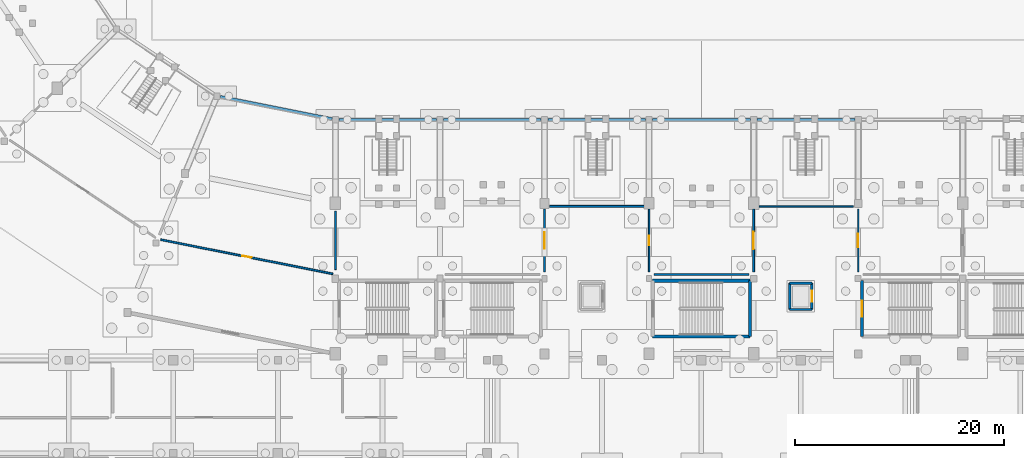
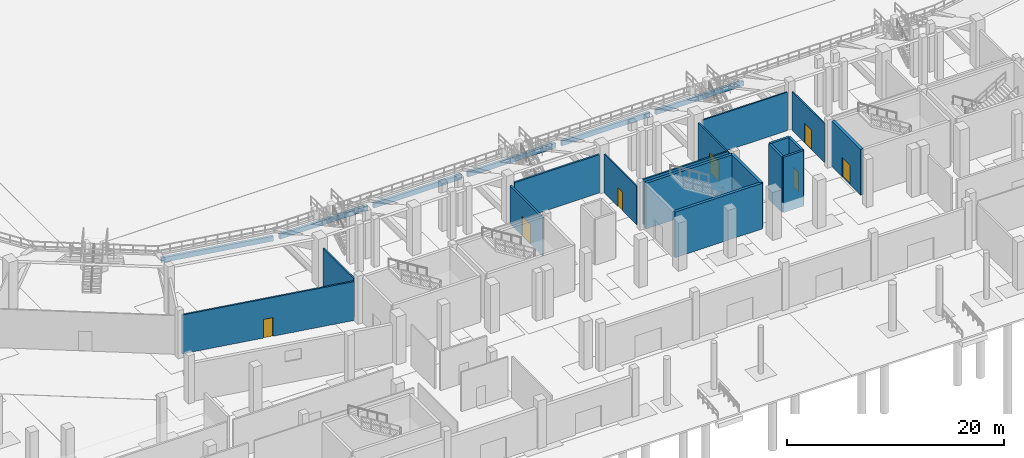
# One storey, part 27 of 68: 23 walls, 7 doors, 7 openings.
"""IFC4 building model written with IfcOpenShell, lengths in metres."""

from ifc_helpers import new_model, si_unit, direction, frame, frame_2d, origin, place, context, subcontext, project, spatial, rectangle, extrude, material, layer, layer_set, type_object, element, fill, save


model = new_model("IFC4")

# Units and contexts
model_context = context("Model", 3, precision=1e-05, world=origin(), true_north=direction((0.0, 1.0)))
body_context = subcontext(model_context, "Body", "Model", "MODEL_VIEW")
ifc_project = project(units=[si_unit("LENGTHUNIT", "METRE"), si_unit("AREAUNIT", "SQUARE_METRE"), si_unit("VOLUMEUNIT", "CUBIC_METRE"), si_unit("PLANEANGLEUNIT", "RADIAN"), si_unit("MASSUNIT", "GRAM", prefix="KILO")], contexts=[model_context])

# Site, building, storey
site_placement = place(None, origin())
site = spatial("IfcSite", under=ifc_project, at=site_placement, CompositionType="ELEMENT")
building_placement = place(site_placement, origin())
building = spatial("IfcBuilding", under=site, at=building_placement, Name="Candeia Ridge Stadium", CompositionType="ELEMENT")
storey_placement = place(building_placement, origin())
storey = spatial("IfcBuildingStorey", under=building, at=storey_placement, Name="L00", CompositionType="ELEMENT", Elevation=0.0)

# Walls
ifc_material_1 = material(Name="Gypsum Acoustic Twin-Stud Assembly", Category="gypsum")
ifc_layer_1 = layer(ifc_material_1, 0.159912109375, Name="Gypsum Acoustic Twin-Stud Assembly", Category="gypsum")
ifc_layer_set_1 = layer_set([ifc_layer_1], Name="Gypsum Acoustic Twin-Stud Assembly")
wall_type_1 = type_object("IfcWallType", Name="Club Dining Acoustic Partition 160", PredefinedType="PARTITIONING", material=ifc_layer_set_1)
wall_1_placement = place(storey_placement, frame((71.0, 32.64990234375, 0.0), z_axis=(0.0, 0.0, 1.0), x_axis=(0.0, -1.0, 0.0)))
element("IfcWall", 1, at=wall_1_placement, inside=storey, type_object=wall_type_1, Name="Demising partition PT-L00-0145", PredefinedType="PARTITIONING", context=body_context, shape_type="SweptSolid", body=[
    extrude(rectangle(XDim=5.599853515625, YDim=0.159912109375, at=frame_2d((2.7998046875, 0.0))), origin(), (0.0, 0.0, 1.0), 4.364990234375),
])
ifc_material_2 = material(Name="Concrete Masonry Blockwork C25/30", Category="masonry")
ifc_layer_2 = layer(ifc_material_2, 0.14990234375, Name="Concrete Masonry Blockwork C25/30", Category="masonry")
ifc_layer_set_2 = layer_set([ifc_layer_2], Name="Concrete Masonry Blockwork C25/30")
wall_type_2 = type_object("IfcWallType", Name="Concourse Kiosk Partition 150", PredefinedType="PARTITIONING", material=ifc_layer_set_2)
wall_2_placement = place(storey_placement, frame((111.489990234375, 33.10009765625, 0.0), z_axis=(0.0, 0.0, 1.0), x_axis=(1.0, 0.0, 0.0)))
element("IfcWall", 2, at=wall_2_placement, inside=storey, type_object=wall_type_2, Name="Demising partition PT-L00-0153", PredefinedType="PARTITIONING", context=body_context, shape_type="SweptSolid", body=[
    extrude(rectangle(XDim=9.06005859375, YDim=0.14990234375, at=frame_2d((4.530029296875, 0.0))), origin(), (0.0, 0.0, 1.0), 4.324951171875),
])

# Wall, opening, door
ifc_material_3 = material(Name="Concrete C45/55", Category="concrete")
ifc_layer_3 = layer(ifc_material_3, 0.300048828125, Name="Concrete C45/55", Category="concrete")
ifc_layer_set_3 = layer_set([ifc_layer_3], Name="Concrete C45/55")
wall_type_3 = type_object("IfcWallType", Name="Core Shear Wall Concrete 300", PredefinedType="SHEAR", material=ifc_layer_set_3)
wall_3_placement = place(storey_placement, frame((121.350341796875, 25.99951171875, 0.0), z_axis=(0.0, 0.0, 1.0), x_axis=(0.0, -1.0, 0.0)))
wall_3 = element("IfcWall", 3, at=wall_3_placement, inside=storey, type_object=wall_type_3, Name="Core C12 near shear wall L00", PredefinedType="SHEAR", context=body_context, shape_type="SweptSolid", body=[
    extrude(rectangle(XDim=5.34912109375, YDim=0.300048828125, at=frame_2d((2.674560546875, 0.0))), origin(), (0.0, 0.0, 1.0), 5.139892578125),
])
opening_1_placement = place(wall_3_placement, frame((1.924560546875, 0.0, 0.0)))
opening_1 = element("IfcOpeningElement", 4, at=opening_1_placement, cuts=wall_3, Name="Opening FD01", PredefinedType="OPENING", context=body_context, shape_type="SweptSolid", body=[
    extrude(rectangle(XDim=1.5, YDim=2.199951171875, at=frame_2d((0.75, 1.10009765625))), frame((0.0, 0.159912109375, 0.0), z_axis=(0.0, -1.0, 0.0), x_axis=(1.0, 0.0, 0.0)), (0.0, 0.0, 1.0), 0.320068359375),
])
ifc_material_4 = material(Name="Galvanized Fire-Rated Steel", Category="steel")
door_type_1 = type_object("IfcDoorType", Name="Exit Stair Core Fire Door 1500x2200", OperationType="NOTDEFINED", PredefinedType="DOOR", material=ifc_material_4)
door_1_placement = place(opening_1_placement, frame((1.5, 0.0, 0.0), z_axis=(0.0, 0.0, 1.0), x_axis=(-1.0, 0.0, 0.0)))
door_1 = element("IfcDoor", 5, at=door_1_placement, inside=storey, type_object=door_type_1, Name="Exit stair fire door SD-ST12-L00", OperationType="DOUBLE_DOOR_SINGLE_SWING", OverallHeight=2.199951171875, OverallWidth=1.5, PredefinedType="DOOR", context=body_context, shape_type="SweptSolid", body=[
    extrude(rectangle(XDim=1.5, YDim=2.199951171875, at=frame_2d((0.75, 1.10009765625))), frame((0.0, 0.02490234375, 0.0), z_axis=(0.0, -1.0, 0.0), x_axis=(1.0, 0.0, 0.0)), (0.0, 0.0, 1.0), 0.050048828125),
])
fill(opening_1, door_1)

# Walls
wall_4_placement = place(storey_placement, frame((101.350341796875, 20.650390625, 0.0), z_axis=(0.0, 0.0, 1.0), x_axis=(1.0, 0.0, 0.0)))
element("IfcWall", 6, at=wall_4_placement, inside=storey, type_object=wall_type_3, Name="Core C18 left shear wall L00", PredefinedType="SHEAR", context=body_context, shape_type="SweptSolid", body=[
    extrude(rectangle(XDim=9.29931640625, YDim=0.300048828125, at=frame_2d((4.649658203125, 0.0))), origin(), (0.0, 0.0, 1.0), 5.139892578125),
])
wall_5_placement = place(storey_placement, frame((110.649658203125, 20.650390625, 0.0), z_axis=(0.0, 0.0, 1.0), x_axis=(0.0, 1.0, 0.0)))
element("IfcWall", 7, at=wall_5_placement, inside=storey, type_object=wall_type_3, Name="Core C18 far shear wall L00", PredefinedType="SHEAR", context=body_context, shape_type="SweptSolid", body=[
    extrude(rectangle(XDim=5.34912109375, YDim=0.300048828125, at=frame_2d((2.674560546875, 0.0))), origin(), (0.0, 0.0, 1.0), 5.139892578125),
])
wall_6_placement = place(storey_placement, frame((110.649658203125, 25.99951171875, 0.0), z_axis=(0.0, 0.0, 1.0), x_axis=(-1.0, 0.0, 0.0)))
element("IfcWall", 8, at=wall_6_placement, inside=storey, type_object=wall_type_3, Name="Core C18 right shear wall L00", PredefinedType="SHEAR", context=body_context, shape_type="SweptSolid", body=[
    extrude(rectangle(XDim=9.29931640625, YDim=0.300048828125, at=frame_2d((4.649658203125, 0.0))), origin(), (0.0, 0.0, 1.0), 5.139892578125),
])

# Wall, opening, door
ifc_layer_4 = layer(ifc_material_1, 0.179931640625, Name="Gypsum Acoustic Twin-Stud Assembly", Category="gypsum")
ifc_layer_set_4 = layer_set([ifc_layer_4], Name="Gypsum Acoustic Twin-Stud Assembly")
wall_type_4 = type_object("IfcWallType", Name="Corridor Fire Partition 180", PredefinedType="PARTITIONING", material=ifc_layer_set_4)
wall_7_placement = place(storey_placement, frame((91.0, 32.85009765625, 0.0), z_axis=(0.0, 0.0, 1.0), x_axis=(0.0, -1.0, 0.0)))
wall_7 = element("IfcWall", 9, at=wall_7_placement, inside=storey, type_object=wall_type_4, Name="Interior partition PT-L00-0146", PredefinedType="PARTITIONING", context=body_context, shape_type="SweptSolid", body=[
    extrude(rectangle(XDim=6.0, YDim=0.179931640625, at=frame_2d((3.0, 0.0))), origin(), (0.0, 0.0, 1.0), 4.304931640625),
])
opening_2_placement = place(wall_7_placement, frame((2.199951171875, 0.0, 0.0)))
opening_2 = element("IfcOpeningElement", 10, at=opening_2_placement, cuts=wall_7, Name="Opening ID03", PredefinedType="OPENING", context=body_context, shape_type="SweptSolid", body=[
    extrude(rectangle(XDim=1.60009765625, YDim=2.199951171875, at=frame_2d((0.800048828125, 1.10009765625))), frame((0.0, 0.099853515625, 0.0), z_axis=(0.0, -1.0, 0.0), x_axis=(1.0, 0.0, 0.0)), (0.0, 0.0, 1.0), 0.199951171875),
])
ifc_material_5 = material(Name="Solid Core Hardwood Veneer", Category="wood")
door_type_2 = type_object("IfcDoorType", Name="Athlete Dressing Double Door 1600x2200", OperationType="NOTDEFINED", PredefinedType="DOOR", material=ifc_material_5)
door_2_placement = place(opening_2_placement, origin())
door_2 = element("IfcDoor", 11, at=door_2_placement, inside=storey, type_object=door_type_2, Name="Interior room door D-L00-0077", OperationType="DOUBLE_DOOR_SINGLE_SWING", OverallHeight=2.199951171875, OverallWidth=1.60009765625, PredefinedType="DOOR", context=body_context, shape_type="SweptSolid", body=[
    extrude(rectangle(XDim=1.60009765625, YDim=2.199951171875, at=frame_2d((0.800048828125, 1.10009765625))), frame((0.0, 0.02490234375, 0.0), z_axis=(0.0, -1.0, 0.0), x_axis=(1.0, 0.0, 0.0)), (0.0, 0.0, 1.0), 0.050048828125),
])
fill(opening_2, door_2)

ifc_material_6 = material(Name="Gypsum Metal-Stud Partition", Category="gypsum")
ifc_layer_5 = layer(ifc_material_6, 0.135009765625, Name="Gypsum Metal-Stud Partition", Category="gypsum")
ifc_layer_set_5 = layer_set([ifc_layer_5], Name="Gypsum Metal-Stud Partition")
wall_type_5 = type_object("IfcWallType", Name="General Room Partition 135", PredefinedType="PARTITIONING", material=ifc_layer_set_5)
wall_8_placement = place(storey_placement, frame((101.0, 32.85009765625, 0.0), z_axis=(0.0, 0.0, 1.0), x_axis=(0.0, -1.0, 0.0)))
wall_8 = element("IfcWall", 12, at=wall_8_placement, inside=storey, type_object=wall_type_5, Name="Interior partition PT-L00-0148", PredefinedType="PARTITIONING", context=body_context, shape_type="SweptSolid", body=[
    extrude(rectangle(XDim=6.0, YDim=0.135009765625, at=frame_2d((3.0, 0.0))), origin(), (0.0, 0.0, 1.0), 4.344970703125),
])
opening_3_placement = place(wall_8_placement, frame((2.550048828125, 0.0, 0.0)))
opening_3 = element("IfcOpeningElement", 13, at=opening_3_placement, cuts=wall_8, Name="Opening ID07", PredefinedType="OPENING", context=body_context, shape_type="SweptSolid", body=[
    extrude(rectangle(XDim=0.89990234375, YDim=2.10009765625, at=frame_2d((0.449951171875, 1.050048828125))), frame((0.0, 0.077392578125, 0.0), z_axis=(0.0, -1.0, 0.0), x_axis=(1.0, 0.0, 0.0)), (0.0, 0.0, 1.0), 0.155029296875),
])
ifc_material_7 = material(Name="Moisture-Resistant Laminate", Category="wood")
door_type_3 = type_object("IfcDoorType", Name="Sanitary Lobby Single Door 900x2100", OperationType="NOTDEFINED", PredefinedType="DOOR", material=ifc_material_7)
door_3_placement = place(opening_3_placement, origin())
door_3 = element("IfcDoor", 14, at=door_3_placement, inside=storey, type_object=door_type_3, Name="Interior room door D-L00-0078", OperationType="SINGLE_SWING_RIGHT", OverallHeight=2.10009765625, OverallWidth=0.89990234375, PredefinedType="DOOR", context=body_context, shape_type="SweptSolid", body=[
    extrude(rectangle(XDim=0.89990234375, YDim=2.10009765625, at=frame_2d((0.449951171875, 1.050048828125))), frame((0.0, 0.02490234375, 0.0), z_axis=(0.0, -1.0, 0.0), x_axis=(1.0, 0.0, 0.0)), (0.0, 0.0, 1.0), 0.050048828125),
])
fill(opening_3, door_3)

# Walls
ifc_layer_6 = layer(ifc_material_1, 0.1650390625, Name="Gypsum Acoustic Twin-Stud Assembly", Category="gypsum")
ifc_layer_set_6 = layer_set([ifc_layer_6], Name="Gypsum Acoustic Twin-Stud Assembly")
wall_type_6 = type_object("IfcWallType", Name="Hospitality Suite Acoustic Wall 165", PredefinedType="PARTITIONING", material=ifc_layer_set_6)
wall_9_placement = place(storey_placement, frame((110.550048828125, 26.60009765625, 0.0), z_axis=(0.0, 0.0, 1.0), x_axis=(-1.0, 0.0, 0.0)))
element("IfcWall", 15, at=wall_9_placement, inside=storey, type_object=wall_type_6, Name="Demising partition PT-L00-0151", PredefinedType="PARTITIONING", context=body_context, shape_type="SweptSolid", body=[
    extrude(rectangle(XDim=9.06005859375, YDim=0.1650390625, at=frame_2d((4.530029296875, 0.0))), origin(), (0.0, 0.0, 1.0), 5.1201171875),
])
ifc_material_8 = material(Name="Concrete C40/50", Category="concrete")
ifc_layer_7 = layer(ifc_material_8, 0.219970703125, Name="Concrete C40/50", Category="concrete")
ifc_layer_set_7 = layer_set([ifc_layer_7], Name="Concrete C40/50")
wall_type_7 = type_object("IfcWallType", Name="Lift & Riser Shaft Wall 220", PredefinedType="SHEAR", material=ifc_layer_set_7)
wall_10_placement = place(storey_placement, frame((114.43994140625, 23.239990234375, -1.10009765625), z_axis=(0.0, 0.0, 1.0), x_axis=(1.0, 0.0, 0.0)))
element("IfcWall", 16, at=wall_10_placement, inside=storey, type_object=wall_type_7, Name="Lift PL4 shaft wall L00 south", PredefinedType="SHEAR", context=body_context, shape_type="SweptSolid", body=[
    extrude(rectangle(XDim=2.1201171875, YDim=0.219970703125, at=frame_2d((1.06005859375, 0.0))), origin(), (0.0, 0.0, 1.0), 6.239990234375),
])

# Wall, opening, door
wall_11_placement = place(storey_placement, frame((116.56005859375, 23.239990234375, -1.10009765625), z_axis=(0.0, 0.0, 1.0), x_axis=(0.0, 1.0, 0.0)))
wall_11 = element("IfcWall", 17, at=wall_11_placement, inside=storey, type_object=wall_type_7, Name="Lift PL4 shaft wall L00 east", PredefinedType="SHEAR", context=body_context, shape_type="SweptSolid", body=[
    extrude(rectangle(XDim=2.52001953125, YDim=0.219970703125, at=frame_2d((1.260009765625, 0.0))), origin(), (0.0, 0.0, 1.0), 6.239990234375),
])
opening_4_placement = place(wall_11_placement, frame((0.735107421875, 0.0, 1.10009765625)))
opening_4 = element("IfcOpeningElement", 18, at=opening_4_placement, cuts=wall_11, Name="Opening LD02", PredefinedType="OPENING", context=body_context, shape_type="SweptSolid", body=[
    extrude(rectangle(XDim=1.050048828125, YDim=2.14990234375, at=frame_2d((0.52490234375, 1.074951171875))), frame((0.0, 0.119873046875, 0.0), z_axis=(0.0, -1.0, 0.0), x_axis=(1.0, 0.0, 0.0)), (0.0, 0.0, 1.0), 0.239990234375),
])
ifc_material_9 = material(Name="Brushed Stainless Steel", Category="steel")
door_type_4 = type_object("IfcDoorType", Name="Passenger Lift Landing Door 1050x2150", OperationType="NOTDEFINED", PredefinedType="DOOR", material=ifc_material_9)
door_4_placement = place(opening_4_placement, origin())
door_4 = element("IfcDoor", 19, at=door_4_placement, inside=storey, type_object=door_type_4, Name="Lift landing sliding door LD-PL4-L00", OperationType="DOUBLE_DOOR_SLIDING", OverallHeight=2.14990234375, OverallWidth=1.050048828125, PredefinedType="DOOR", context=body_context, shape_type="SweptSolid", body=[
    extrude(rectangle(XDim=1.050048828125, YDim=2.14990234375, at=frame_2d((0.52490234375, 1.074951171875))), frame((0.0, 0.02490234375, 0.0), z_axis=(0.0, -1.0, 0.0), x_axis=(1.0, 0.0, 0.0)), (0.0, 0.0, 1.0), 0.050048828125),
])
fill(opening_4, door_4)

# Walls
wall_12_placement = place(storey_placement, frame((116.56005859375, 25.760009765625, -1.10009765625), z_axis=(0.0, 0.0, 1.0), x_axis=(-1.0, 0.0, 0.0)))
element("IfcWall", 20, at=wall_12_placement, inside=storey, type_object=wall_type_7, Name="Lift PL4 shaft wall L00 north", PredefinedType="SHEAR", context=body_context, shape_type="SweptSolid", body=[
    extrude(rectangle(XDim=2.1201171875, YDim=0.219970703125, at=frame_2d((1.06005859375, 0.0))), origin(), (0.0, 0.0, 1.0), 6.239990234375),
])
wall_13_placement = place(storey_placement, frame((114.43994140625, 25.760009765625, -1.10009765625), z_axis=(0.0, 0.0, 1.0), x_axis=(0.0, -1.0, 0.0)))
element("IfcWall", 21, at=wall_13_placement, inside=storey, type_object=wall_type_7, Name="Lift PL4 shaft wall L00 west", PredefinedType="SHEAR", context=body_context, shape_type="SweptSolid", body=[
    extrude(rectangle(XDim=2.52001953125, YDim=0.219970703125, at=frame_2d((1.260009765625, 0.0))), origin(), (0.0, 0.0, 1.0), 6.239990234375),
])
ifc_material_10 = material(Name="Gypsum Acoustic Triple-Board Wall", Category="gypsum")
ifc_layer_8 = layer(ifc_material_10, 0.18505859375, Name="Gypsum Acoustic Triple-Board Wall", Category="gypsum")
ifc_layer_set_8 = layer_set([ifc_layer_8], Name="Gypsum Acoustic Triple-Board Wall")
wall_type_8 = type_object("IfcWallType", Name="Media Booth Studio Divider 185", PredefinedType="PARTITIONING", material=ifc_layer_set_8)
wall_14_placement = place(storey_placement, frame((91.489990234375, 33.10009765625, 0.0), z_axis=(0.0, 0.0, 1.0), x_axis=(1.0, 0.0, 0.0)))
element("IfcWall", 22, at=wall_14_placement, inside=storey, type_object=wall_type_8, Name="Demising partition PT-L00-0149", PredefinedType="PARTITIONING", context=body_context, shape_type="SweptSolid", body=[
    extrude(rectangle(XDim=9.06005859375, YDim=0.18505859375, at=frame_2d((4.530029296875, 0.0))), origin(), (0.0, 0.0, 1.0), 4.324951171875),
])

# Wall, opening, door
ifc_layer_9 = layer(ifc_material_1, 0.175048828125, Name="Gypsum Acoustic Twin-Stud Assembly", Category="gypsum")
ifc_layer_set_9 = layer_set([ifc_layer_9], Name="Gypsum Acoustic Twin-Stud Assembly")
wall_type_9 = type_object("IfcWallType", Name="Museum Acoustic Gallery Wall 175", PredefinedType="PARTITIONING", material=ifc_layer_set_9)
wall_15_placement = place(storey_placement, frame((70.7548828125, 26.648681640625, 0.0), z_axis=(0.0, 0.0, 1.0), x_axis=(-0.980783244425, 0.195100557291, 0.0)))
wall_15 = element("IfcWall", 23, at=wall_15_placement, inside=storey, type_object=wall_type_9, Name="Interior partition PT-L00-0144", PredefinedType="PARTITIONING", context=body_context, shape_type="SweptSolid", body=[
    extrude(rectangle(XDim=16.783203125, YDim=0.175048828125, at=frame_2d((8.3916015625, 0.0))), origin(), (0.0, 0.0, 1.0), 4.375),
])
opening_5_placement = place(wall_15_placement, frame((7.931640625, 0.0, 0.0)))
opening_5 = element("IfcOpeningElement", 24, at=opening_5_placement, cuts=wall_15, Name="Opening ID15", PredefinedType="OPENING", context=body_context, shape_type="SweptSolid", body=[
    extrude(rectangle(XDim=0.919921875, YDim=2.10009765625, at=frame_2d((0.4599609375, 1.050048828125))), frame((0.0, 0.097412109375, 0.0), z_axis=(0.0, -1.0, 0.0), x_axis=(1.0, 0.0, 0.0)), (0.0, 0.0, 1.0), 0.195068359375),
])
ifc_material_11 = material(Name="Powder-Coated Hollow Metal", Category="steel")
door_type_5 = type_object("IfcDoorType", Name="Concourse Store Single Door 920x2100", OperationType="NOTDEFINED", PredefinedType="DOOR", material=ifc_material_11)
door_5_placement = place(opening_5_placement, origin())
door_5 = element("IfcDoor", 25, at=door_5_placement, inside=storey, type_object=door_type_5, Name="Interior room door D-L00-0076", OperationType="SINGLE_SWING_LEFT", OverallHeight=2.10009765625, OverallWidth=0.919921875, PredefinedType="DOOR", context=body_context, shape_type="SweptSolid", body=[
    extrude(rectangle(XDim=0.919921875, YDim=2.10009765625, at=frame_2d((0.4599609375, 1.050048828125))), frame((0.0, 0.02490234375, 0.0), z_axis=(0.0, -1.0, 0.0), x_axis=(1.0, 0.0, 0.0)), (0.0, 0.0, 1.0), 0.050048828125),
])
fill(opening_5, door_5)

wall_16_placement = place(storey_placement, frame((111.0, 32.85009765625, 0.0), z_axis=(0.0, 0.0, 1.0), x_axis=(0.0, -1.0, 0.0)))
wall_16 = element("IfcWall", 26, at=wall_16_placement, inside=storey, type_object=wall_type_9, Name="Interior partition PT-L00-0150", PredefinedType="PARTITIONING", context=body_context, shape_type="SweptSolid", body=[
    extrude(rectangle(XDim=6.0, YDim=0.175048828125, at=frame_2d((3.0, 0.0))), origin(), (0.0, 0.0, 1.0), 4.375),
])
opening_6_placement = place(wall_16_placement, frame((2.14990234375, 0.0, 0.0)))
opening_6 = element("IfcOpeningElement", 27, at=opening_6_placement, cuts=wall_16, Name="Opening ID09", PredefinedType="OPENING", context=body_context, shape_type="SweptSolid", body=[
    extrude(rectangle(XDim=1.699951171875, YDim=2.25, at=frame_2d((0.85009765625, 1.125))), frame((0.0, 0.097412109375, 0.0), z_axis=(0.0, -1.0, 0.0), x_axis=(1.0, 0.0, 0.0)), (0.0, 0.0, 1.0), 0.195068359375),
])
ifc_material_12 = material(Name="Timber Fire-Rated Acoustic", Category="wood")
door_type_6 = type_object("IfcDoorType", Name="Founders Lounge Double Door 1700x2250", OperationType="NOTDEFINED", PredefinedType="DOOR", material=ifc_material_12)
door_6_placement = place(opening_6_placement, origin())
door_6 = element("IfcDoor", 28, at=door_6_placement, inside=storey, type_object=door_type_6, Name="Interior room door D-L00-0079", OperationType="DOUBLE_DOOR_SINGLE_SWING", OverallHeight=2.25, OverallWidth=1.699951171875, PredefinedType="DOOR", context=body_context, shape_type="SweptSolid", body=[
    extrude(rectangle(XDim=1.699951171875, YDim=2.25, at=frame_2d((0.85009765625, 1.125))), frame((0.0, 0.02490234375, 0.0), z_axis=(0.0, -1.0, 0.0), x_axis=(1.0, 0.0, 0.0)), (0.0, 0.0, 1.0), 0.050048828125),
])
fill(opening_6, door_6)

# Walls
ifc_layer_10 = layer(ifc_material_3, 0.264892578125, Name="Concrete C45/55", Category="concrete")
ifc_layer_set_10 = layer_set([ifc_layer_10], Name="Concrete C45/55")
wall_type_10 = type_object("IfcWallType", Name="Pitch-Side Moat Retaining Wall 265", PredefinedType="SOLIDWALL", material=ifc_layer_set_10)
wall_17_placement = place(storey_placement, frame((59.986328125, 43.5908203125, 0.0), z_axis=(0.0, 0.0, 1.0), x_axis=(0.980783282406, -0.195100366358, 0.0)))
element("IfcWall", 29, at=wall_17_placement, inside=storey, type_object=wall_type_10, Name="Pitch-side moat wall EW-L00-0026", PredefinedType="SOLIDWALL", context=body_context, shape_type="SweptSolid", body=[
    extrude(rectangle(XDim=10.909423828125, YDim=0.264892578125, at=frame_2d((5.45458984375, 0.0))), origin(), (0.0, 0.0, 1.0), 0.5400390625),
])
for number, where, z_axis, x_axis, name in (
    (30, (71.320068359375, 41.39990234375, 0.0), (0.0, 0.0, 1.0), (1.0, 0.0, 0.0), "Pitch-side moat wall EW-L00-0027"),
    (31, (81.320068359375, 41.39990234375, 0.0), (0.0, 0.0, 1.0), (1.0, 0.0, 0.0), "Pitch-side moat wall EW-L00-0028"),
    (32, (91.320068359375, 41.39990234375, 0.0), (0.0, 0.0, 1.0), (1.0, 0.0, 0.0), "Pitch-side moat wall EW-L00-0029"),
    (33, (101.320068359375, 41.39990234375, 0.0), (0.0, 0.0, 1.0), (1.0, 0.0, 0.0), "Pitch-side moat wall EW-L00-0030"),
    (34, (111.320068359375, 41.39990234375, 0.0), (0.0, 0.0, 1.0), (1.0, 0.0, 0.0), "Pitch-side moat wall EW-L00-0031"),
):
    element("IfcWall", number, at=place(storey_placement, frame(where, z_axis=z_axis, x_axis=x_axis)), inside=storey, type_object=wall_type_10, Name=name, PredefinedType="SOLIDWALL", context=body_context, shape_type="SweptSolid", body=[
        extrude(rectangle(XDim=9.35986328125, YDim=0.264892578125, at=frame_2d((4.679931640625, 0.0))), origin(), (0.0, 0.0, 1.0), 0.5400390625),
    ])

# Wall, opening, door
ifc_layer_11 = layer(ifc_material_6, 0.1298828125, Name="Gypsum Metal-Stud Partition", Category="gypsum")
ifc_layer_set_11 = layer_set([ifc_layer_11], Name="Gypsum Metal-Stud Partition")
wall_type_11 = type_object("IfcWallType", Name="Ticketing Back-Office Partition 130", PredefinedType="PARTITIONING", material=ifc_layer_set_11)
wall_18_placement = place(storey_placement, frame((121.0, 32.85009765625, 0.0), z_axis=(0.0, 0.0, 1.0), x_axis=(0.0, -1.0, 0.0)))
wall_18 = element("IfcWall", 35, at=wall_18_placement, inside=storey, type_object=wall_type_11, Name="Interior partition PT-L00-0152", PredefinedType="PARTITIONING", context=body_context, shape_type="SweptSolid", body=[
    extrude(rectangle(XDim=6.0, YDim=0.1298828125, at=frame_2d((3.0, 0.0))), origin(), (0.0, 0.0, 1.0), 4.364990234375),
])
opening_7_placement = place(wall_18_placement, frame((2.35009765625, 0.0, 0.0)))
opening_7 = element("IfcOpeningElement", 36, at=opening_7_placement, cuts=wall_18, Name="Opening ID13", PredefinedType="OPENING", context=body_context, shape_type="SweptSolid", body=[
    extrude(rectangle(XDim=1.300048828125, YDim=2.199951171875, at=frame_2d((0.64990234375, 1.10009765625))), frame((0.0, 0.074951171875, 0.0), z_axis=(0.0, -1.0, 0.0), x_axis=(1.0, 0.0, 0.0)), (0.0, 0.0, 1.0), 0.14990234375),
])
door_type_7 = type_object("IfcDoorType", Name="Medical Clinic Wide Door 1300x2200", OperationType="NOTDEFINED", PredefinedType="DOOR", material=ifc_material_7)
door_7_placement = place(opening_7_placement, frame((1.300048828125, 0.0, 0.0), z_axis=(0.0, 0.0, 1.0), x_axis=(-1.0, 0.0, 0.0)))
door_7 = element("IfcDoor", 37, at=door_7_placement, inside=storey, type_object=door_type_7, Name="Interior room door D-L00-0080", OperationType="SINGLE_SWING_LEFT", OverallHeight=2.199951171875, OverallWidth=1.300048828125, PredefinedType="DOOR", context=body_context, shape_type="SweptSolid", body=[
    extrude(rectangle(XDim=1.300048828125, YDim=2.199951171875, at=frame_2d((0.64990234375, 1.10009765625))), frame((0.0, 0.02490234375, 0.0), z_axis=(0.0, -1.0, 0.0), x_axis=(1.0, 0.0, 0.0)), (0.0, 0.0, 1.0), 0.050048828125),
])
fill(opening_7, door_7)

save(model, "model.ifc")
